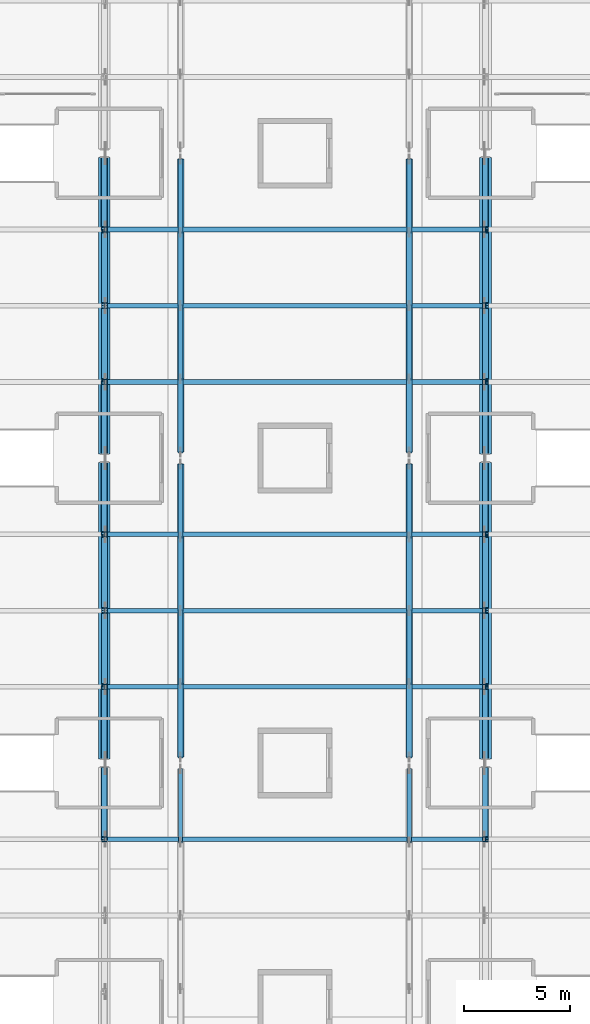
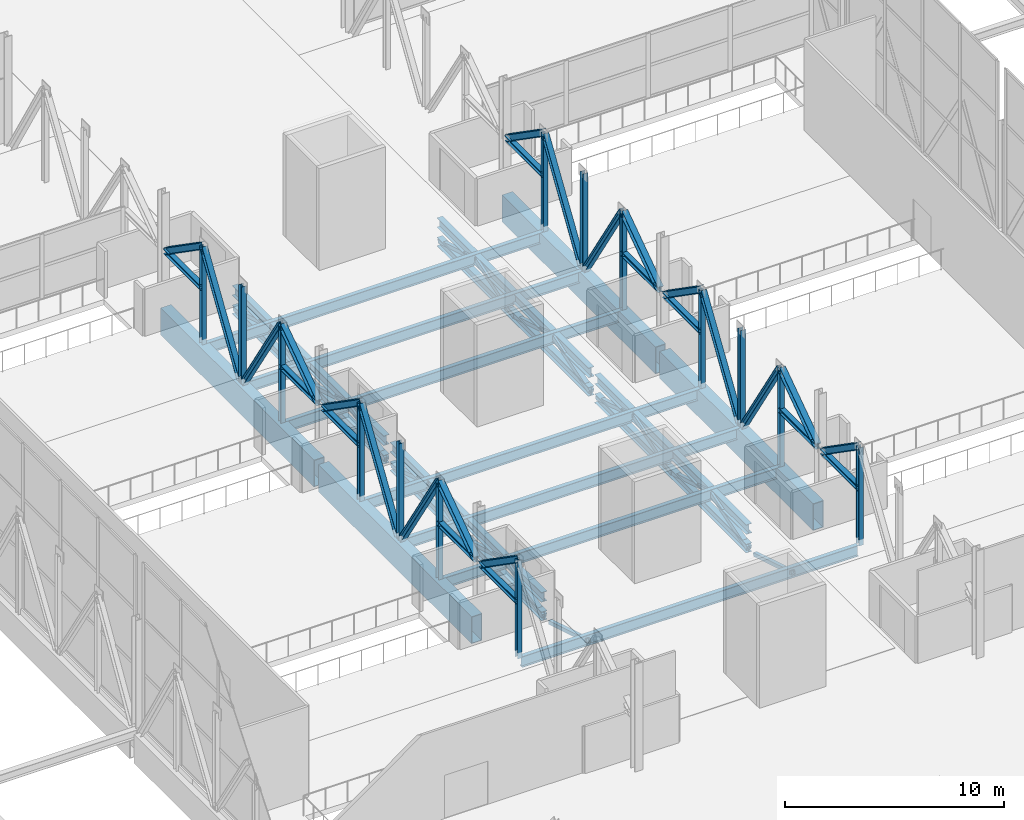
# One storey, part 58 of 191: 60 members, 19 beams.
"""IFC4 building model written with IfcOpenShell, lengths in metres."""

from ifc_helpers import new_model, si_unit, direction, frame, origin, origin_2d, place, context, subcontext, project, spatial, hollow_rectangle, i_section, extrude, material, material_profile, profile_set, type_object, element, save


model = new_model("IFC4")

# Units and contexts
model_context = context("Model", 3, precision=1e-05, world=origin(), true_north=direction((0.0, 1.0)))
body_context = subcontext(model_context, "Body", "Model", "MODEL_VIEW")
ifc_project = project(units=[si_unit("LENGTHUNIT", "METRE"), si_unit("AREAUNIT", "SQUARE_METRE"), si_unit("VOLUMEUNIT", "CUBIC_METRE"), si_unit("PLANEANGLEUNIT", "RADIAN"), si_unit("MASSUNIT", "GRAM", prefix="KILO")], contexts=[model_context])

# Site, building, storey
site_placement = place(None, origin())
site = spatial("IfcSite", under=ifc_project, at=site_placement, CompositionType="ELEMENT")
building_placement = place(site_placement, origin())
building = spatial("IfcBuilding", under=site, at=building_placement, Name="Tamarisk Ironworks Central Station", CompositionType="ELEMENT")
storey_placement = place(building_placement, frame((0.0, 0.0, 6.60009765625)))
storey = spatial("IfcBuildingStorey", under=building, at=storey_placement, Name="L01", CompositionType="ELEMENT", Elevation=6.60009765625)

# Beams
ifc_material_1 = material(Name="Structural steel S355J2", Category="steel")
ifc_material_profile_1 = material_profile(ifc_material_1, i_section(OverallWidth=0.219970703125, OverallDepth=0.60009765625, WebThickness=0.011962890625, FlangeThickness=0.01904296875, at=origin_2d()), Name="IPE 600")
ifc_profile_set_1 = profile_set([ifc_material_profile_1], Name="Structural steel S355J2")
beam_type_1 = type_object("IfcBeamType", Name="BM-B01", PredefinedType="BEAM", material=ifc_profile_set_1)
for number, where, z_axis, x_axis, name in (
    (1, (72.135009765625, 32.39990234375, -0.60009765625), (1.0, 0.0, 0.0), (0.0, 1.0, 0.0), "L01 secondary composite beam 0017"),
    (2, (72.135009765625, 39.60009765625, -0.60009765625), (1.0, 0.0, 0.0), (0.0, 1.0, 0.0), "L01 secondary composite beam 0018"),
    (3, (72.135009765625, 43.199951171875, -0.60009765625), (1.0, 0.0, 0.0), (0.0, 1.0, 0.0), "L01 secondary composite beam 0019"),
    (4, (72.135009765625, 46.800048828125, -0.60009765625), (1.0, 0.0, 0.0), (0.0, 1.0, 0.0), "L01 secondary composite beam 0020"),
    (5, (72.135009765625, 54.0, -0.60009765625), (1.0, 0.0, 0.0), (0.0, 1.0, 0.0), "L01 secondary composite beam 0021"),
    (6, (72.135009765625, 57.60009765625, -0.60009765625), (1.0, 0.0, 0.0), (0.0, 1.0, 0.0), "L01 secondary composite beam 0022"),
    (7, (72.135009765625, 61.199951171875, -0.60009765625), (1.0, 0.0, 0.0), (0.0, 1.0, 0.0), "L01 secondary composite beam 0023"),
):
    element("IfcBeam", number, at=place(storey_placement, frame(where, z_axis=z_axis, x_axis=x_axis)), inside=storey, type_object=beam_type_1, Name=name, PredefinedType="BEAM", context=body_context, shape_type="SweptSolid", body=[
        extrude(i_section(OverallWidth=0.219970703125, OverallDepth=0.60009765625, WebThickness=0.011962890625, FlangeThickness=0.01904296875, at=origin_2d()), origin(), (0.0, 0.0, 1.0), 17.72998046875),
    ])
ifc_material_profile_2 = material_profile(ifc_material_1, i_section(OverallWidth=0.300048828125, OverallDepth=0.5400390625, WebThickness=0.012451171875, FlangeThickness=0.02392578125, at=origin_2d()), Name="HEA 550")
ifc_profile_set_2 = profile_set([ifc_material_profile_2], Name="Structural steel S355J2")
beam_type_2 = type_object("IfcBeamType", Name="BM-G04", PredefinedType="BEAM", material=ifc_profile_set_2)
for number, where, z_axis, x_axis, name in (
    (8, (75.60009765625, 36.280029296875, -0.580078125), (0.0, 1.0, 0.0), (-1.0, 0.0, 0.0), "Bridge deck transfer stiffening chord 144"),
    (9, (75.60009765625, 50.679931640625, -0.580078125), (0.0, 1.0, 0.0), (-1.0, 0.0, 0.0), "Bridge deck transfer stiffening chord 150"),
    (10, (86.39990234375, 36.280029296875, -0.580078125), (0.0, 1.0, 0.0), (-1.0, 0.0, 0.0), "Bridge deck transfer stiffening chord 168"),
    (11, (86.39990234375, 50.679931640625, -0.580078125), (0.0, 1.0, 0.0), (-1.0, 0.0, 0.0), "Bridge deck transfer stiffening chord 174"),
):
    element("IfcBeam", number, at=place(storey_placement, frame(where, z_axis=z_axis, x_axis=x_axis)), inside=storey, type_object=beam_type_2, Name=name, PredefinedType="BEAM", context=body_context, shape_type="SweptSolid", body=[
        extrude(i_section(OverallWidth=0.300048828125, OverallDepth=0.5400390625, WebThickness=0.012451171875, FlangeThickness=0.02392578125, at=origin_2d()), origin(), (0.0, 0.0, 1.0), 13.840087890625),
    ])
ifc_material_profile_3 = material_profile(ifc_material_1, i_section(OverallWidth=0.300048828125, OverallDepth=0.489990234375, WebThickness=0.011962890625, FlangeThickness=0.02294921875, at=origin_2d()), Name="HEA 500")
ifc_profile_set_3 = profile_set([ifc_material_profile_3], Name="Structural steel S355J2")
beam_type_3 = type_object("IfcBeamType", Name="BM-G05", PredefinedType="BEAM", material=ifc_profile_set_3)
for number, where, z_axis, x_axis, name in (
    (12, (75.60009765625, 36.280029296875, -1.64013671875), (0.0, 1.0, 0.0), (-1.0, 0.0, 0.0), "Bridge deck transfer stiffening chord 143"),
    (13, (75.60009765625, 50.679931640625, -1.64013671875), (0.0, 1.0, 0.0), (-1.0, 0.0, 0.0), "Bridge deck transfer stiffening chord 149"),
    (14, (86.39990234375, 36.280029296875, -1.64013671875), (0.0, 1.0, 0.0), (-1.0, 0.0, 0.0), "Bridge deck transfer stiffening chord 167"),
    (15, (86.39990234375, 50.679931640625, -1.64013671875), (0.0, 1.0, 0.0), (-1.0, 0.0, 0.0), "Bridge deck transfer stiffening chord 173"),
):
    element("IfcBeam", number, at=place(storey_placement, frame(where, z_axis=z_axis, x_axis=x_axis)), inside=storey, type_object=beam_type_3, Name=name, PredefinedType="BEAM", context=body_context, shape_type="SweptSolid", body=[
        extrude(i_section(OverallWidth=0.300048828125, OverallDepth=0.489990234375, WebThickness=0.011962890625, FlangeThickness=0.02294921875, at=origin_2d()), origin(), (0.0, 0.0, 1.0), 13.840087890625),
    ])
ifc_material_profile_4 = material_profile(ifc_material_1, hollow_rectangle(XDim=0.550048828125, YDim=1.5, WallThickness=0.028076171875, at=origin_2d()), Name="BOX 550x1500x28")
ifc_profile_set_4 = profile_set([ifc_material_profile_4], Name="Structural steel S355J2")
beam_type_4 = type_object("IfcBeamType", Name="BM-TG02", PredefinedType="USERDEFINED", material=ifc_profile_set_4)
for number, where, z_axis, x_axis, name in (
    (16, (72.0, 36.200439453125, -1.050048828125), (0.0, 1.0, 0.0), (-1.0, 0.0, 0.0), "L01 primary girder Y-0217"),
    (17, (72.0, 50.6005859375, -1.050048828125), (0.0, 1.0, 0.0), (-1.0, 0.0, 0.0), "L01 primary girder Y-0218"),
    (18, (90.0, 36.200439453125, -1.050048828125), (0.0, 1.0, 0.0), (-1.0, 0.0, 0.0), "L01 primary girder Y-0225"),
    (19, (90.0, 50.6005859375, -1.050048828125), (0.0, 1.0, 0.0), (-1.0, 0.0, 0.0), "L01 primary girder Y-0226"),
):
    element("IfcBeam", number, at=place(storey_placement, frame(where, z_axis=z_axis, x_axis=x_axis)), inside=storey, type_object=beam_type_4, Name=name, ObjectType="TRANSFER GIRDER", PredefinedType="USERDEFINED", context=body_context, shape_type="SweptSolid", body=[
        extrude(hollow_rectangle(XDim=0.550048828125, YDim=1.5, WallThickness=0.028076171875, at=origin_2d()), origin(), (0.0, 0.0, 1.0), 13.9990234375),
    ])

# Members
ifc_material_2 = material(Name="Structural steel S355J2H", Category="steel")
ifc_material_profile_5 = material_profile(ifc_material_2, hollow_rectangle(XDim=0.25, YDim=0.25, WallThickness=0.012451171875, at=origin_2d()), Name="SHS 250x250x12.5")
ifc_profile_set_5 = profile_set([ifc_material_profile_5], Name="Structural steel S355J2H")
member_type_1 = type_object("IfcMemberType", Name="MB-BR01", PredefinedType="BRACE", material=ifc_profile_set_5)
for number, where, z_axis, x_axis, name in (
    (20, (75.60009765625, 36.280029296875, -1.64013671875), (0.0, 0.956131332595, 0.292938346467), (-1.0, 0.0, 0.0), "Bridge deck stiffening web brace 145"),
    (21, (75.60009765625, 43.199951171875, -1.64013671875), (0.0, 0.956131332595, 0.292938346467), (-1.0, 0.0, 0.0), "Bridge deck stiffening web brace 147"),
    (22, (75.60009765625, 50.679931640625, -1.64013671875), (0.0, 0.956131332595, 0.292938346467), (-1.0, 0.0, 0.0), "Bridge deck stiffening web brace 151"),
    (23, (75.60009765625, 57.60009765625, -1.64013671875), (0.0, 0.956131332595, 0.292938346467), (-1.0, 0.0, 0.0), "Bridge deck stiffening web brace 153"),
    (24, (86.39990234375, 36.280029296875, -1.64013671875), (0.0, 0.956131332595, 0.292938346467), (-1.0, 0.0, 0.0), "Bridge deck stiffening web brace 169"),
    (25, (86.39990234375, 43.199951171875, -1.64013671875), (0.0, 0.956131332595, 0.292938346467), (-1.0, 0.0, 0.0), "Bridge deck stiffening web brace 171"),
    (26, (86.39990234375, 50.679931640625, -1.64013671875), (0.0, 0.956131332595, 0.292938346467), (-1.0, 0.0, 0.0), "Bridge deck stiffening web brace 175"),
    (27, (86.39990234375, 57.60009765625, -1.64013671875), (0.0, 0.956131332595, 0.292938346467), (-1.0, 0.0, 0.0), "Bridge deck stiffening web brace 177"),
):
    element("IfcMember", number, at=place(storey_placement, frame(where, z_axis=z_axis, x_axis=x_axis)), inside=storey, type_object=member_type_1, Name=name, PredefinedType="BRACE", context=body_context, shape_type="SweptSolid", body=[
        extrude(hollow_rectangle(XDim=0.25, YDim=0.25, WallThickness=0.012451171875, at=origin_2d()), origin(), (0.0, 0.0, 1.0), 3.61865234375),
    ])
ifc_material_profile_6 = material_profile(ifc_material_2, hollow_rectangle(XDim=0.199951171875, YDim=0.199951171875, WallThickness=0.010009765625, at=origin_2d()), Name="SHS 200x200x10")
ifc_profile_set_6 = profile_set([ifc_material_profile_6], Name="Structural steel S355J2H")
member_type_2 = type_object("IfcMemberType", Name="MB-BR02", PredefinedType="BRACE", material=ifc_profile_set_6)
for number, where, z_axis, x_axis, name in (
    (28, (75.60009765625, 32.260009765625, -0.580078125), (0.0, 0.956131332595, -0.292938346467), (-1.0, 0.0, 0.0), "Bridge deck stiffening web brace 142"),
    (29, (75.60009765625, 39.739990234375, -0.580078125), (0.0, 0.956131332595, -0.292938346467), (-1.0, 0.0, 0.0), "Bridge deck stiffening web brace 146"),
):
    element("IfcMember", number, at=place(storey_placement, frame(where, z_axis=z_axis, x_axis=x_axis)), inside=storey, type_object=member_type_2, Name=name, PredefinedType="BRACE", context=body_context, shape_type="SweptSolid", body=[
        extrude(hollow_rectangle(XDim=0.199951171875, YDim=0.199951171875, WallThickness=0.010009765625, at=origin_2d()), origin(), (0.0, 0.0, 1.0), 3.61865234375),
    ])
for number, where, z_axis, x_axis, name in (
    (30, (75.60009765625, 46.659912109375, -0.580078125), (0.0, 0.956137121505, -0.29291945118), (-1.0, 0.0, 0.0), "Bridge deck stiffening web brace 148"),
    (31, (75.60009765625, 54.139892578125, -0.580078125), (0.0, 0.956137121505, -0.29291945118), (-1.0, 0.0, 0.0), "Bridge deck stiffening web brace 152"),
):
    element("IfcMember", number, at=place(storey_placement, frame(where, z_axis=z_axis, x_axis=x_axis)), inside=storey, type_object=member_type_2, Name=name, PredefinedType="BRACE", context=body_context, shape_type="SweptSolid", body=[
        extrude(hollow_rectangle(XDim=0.199951171875, YDim=0.199951171875, WallThickness=0.010009765625, at=origin_2d()), origin(), (0.0, 0.0, 1.0), 3.618896484375),
    ])
for number, where, z_axis, x_axis, name in (
    (32, (75.60009765625, 61.06005859375, -0.580078125), (0.0, 0.956131332595, -0.292938346467), (-1.0, 0.0, 0.0), "Bridge deck stiffening web brace 154"),
    (33, (86.39990234375, 32.260009765625, -0.580078125), (0.0, 0.956131332595, -0.292938346467), (-1.0, 0.0, 0.0), "Bridge deck stiffening web brace 166"),
    (34, (86.39990234375, 39.739990234375, -0.580078125), (0.0, 0.956131332595, -0.292938346467), (-1.0, 0.0, 0.0), "Bridge deck stiffening web brace 170"),
):
    element("IfcMember", number, at=place(storey_placement, frame(where, z_axis=z_axis, x_axis=x_axis)), inside=storey, type_object=member_type_2, Name=name, PredefinedType="BRACE", context=body_context, shape_type="SweptSolid", body=[
        extrude(hollow_rectangle(XDim=0.199951171875, YDim=0.199951171875, WallThickness=0.010009765625, at=origin_2d()), origin(), (0.0, 0.0, 1.0), 3.61865234375),
    ])
for number, where, z_axis, x_axis, name in (
    (35, (86.39990234375, 46.659912109375, -0.580078125), (0.0, 0.956137121505, -0.29291945118), (-1.0, 0.0, 0.0), "Bridge deck stiffening web brace 172"),
    (36, (86.39990234375, 54.139892578125, -0.580078125), (0.0, 0.956137121505, -0.29291945118), (-1.0, 0.0, 0.0), "Bridge deck stiffening web brace 176"),
):
    element("IfcMember", number, at=place(storey_placement, frame(where, z_axis=z_axis, x_axis=x_axis)), inside=storey, type_object=member_type_2, Name=name, PredefinedType="BRACE", context=body_context, shape_type="SweptSolid", body=[
        extrude(hollow_rectangle(XDim=0.199951171875, YDim=0.199951171875, WallThickness=0.010009765625, at=origin_2d()), origin(), (0.0, 0.0, 1.0), 3.618896484375),
    ])
member_1_placement = place(storey_placement, frame((86.39990234375, 61.06005859375, -0.580078125), z_axis=(0.0, 0.956131332595, -0.292938346467), x_axis=(-1.0, 0.0, 0.0)))
element("IfcMember", 37, at=member_1_placement, inside=storey, type_object=member_type_2, Name="Bridge deck stiffening web brace 178", PredefinedType="BRACE", context=body_context, shape_type="SweptSolid", body=[
    extrude(hollow_rectangle(XDim=0.199951171875, YDim=0.199951171875, WallThickness=0.010009765625, at=origin_2d()), origin(), (0.0, 0.0, 1.0), 3.61865234375),
])
ifc_material_profile_7 = material_profile(ifc_material_1, i_section(OverallWidth=0.300048828125, OverallDepth=0.340087890625, WebThickness=0.011962890625, FlangeThickness=0.021484375, at=origin_2d()), Name="HEB 340")
ifc_profile_set_7 = profile_set([ifc_material_profile_7], Name="Structural steel S355J2")
member_type_3 = type_object("IfcMemberType", Name="MB-TTD01", PredefinedType="BRACE", material=ifc_profile_set_7)
for number, where, z_axis, x_axis, name in (
    (38, (72.0, 32.43994140625, 5.119873046875), (0.0, 0.821108198798, -0.570772569302), (-1.0, 0.0, 0.0), "Transfer truss diagonal 034"),
    (39, (72.0, 36.280029296875, 2.83984375), (0.0, 0.821108198798, 0.570772569302), (-1.0, 0.0, 0.0), "Transfer truss diagonal 036"),
    (40, (72.0, 46.840087890625, 5.119873046875), (0.0, 0.821108198798, -0.570772569302), (-1.0, 0.0, 0.0), "Transfer truss diagonal 041"),
    (41, (72.0, 50.679931640625, 2.83984375), (0.0, 0.821108198798, 0.570772569302), (-1.0, 0.0, 0.0), "Transfer truss diagonal 043"),
    (42, (72.0, 61.239990234375, 5.119873046875), (0.0, 0.821108198798, -0.570772569302), (-1.0, 0.0, 0.0), "Transfer truss diagonal 048"),
    (43, (90.0, 32.43994140625, 5.119873046875), (0.0, 0.821108198798, -0.570772569302), (-1.0, 0.0, 0.0), "Transfer truss diagonal 062"),
    (44, (90.0, 36.280029296875, 2.83984375), (0.0, 0.821108198798, 0.570772569302), (-1.0, 0.0, 0.0), "Transfer truss diagonal 064"),
    (45, (90.0, 46.840087890625, 5.119873046875), (0.0, 0.821108198798, -0.570772569302), (-1.0, 0.0, 0.0), "Transfer truss diagonal 069"),
    (46, (90.0, 50.679931640625, 2.83984375), (0.0, 0.821108198798, 0.570772569302), (-1.0, 0.0, 0.0), "Transfer truss diagonal 071"),
    (47, (90.0, 61.239990234375, 5.119873046875), (0.0, 0.821108198798, -0.570772569302), (-1.0, 0.0, 0.0), "Transfer truss diagonal 076"),
):
    element("IfcMember", number, at=place(storey_placement, frame(where, z_axis=z_axis, x_axis=x_axis)), inside=storey, type_object=member_type_3, Name=name, PredefinedType="BRACE", context=body_context, shape_type="SweptSolid", body=[
        extrude(i_section(OverallWidth=0.300048828125, OverallDepth=0.340087890625, WebThickness=0.011962890625, FlangeThickness=0.021484375, at=origin_2d()), origin(), (0.0, 0.0, 1.0), 3.99462890625),
    ])
ifc_material_profile_8 = material_profile(ifc_material_1, i_section(OverallWidth=0.280029296875, OverallDepth=0.280029296875, WebThickness=0.010498046875, FlangeThickness=0.01806640625, at=origin_2d()), Name="HEB 280")
ifc_profile_set_8 = profile_set([ifc_material_profile_8], Name="Structural steel S355J2")
member_type_4 = type_object("IfcMemberType", Name="MB-TTD02", PredefinedType="BRACE", material=ifc_profile_set_8)
for number, where, z_axis, x_axis, name in (
    (48, (72.0, 39.639892578125, 5.119873046875), (0.0, 0.539055818311, -0.842270042649), (-1.0, 0.0, 0.0), "Transfer truss diagonal 037"),
    (49, (72.0, 43.239990234375, -0.380126953125), (0.0, 0.539055818311, 0.842270042649), (-1.0, 0.0, 0.0), "Transfer truss diagonal 039"),
    (50, (72.0, 54.0400390625, 5.119873046875), (0.0, 0.539055818311, -0.842270042649), (-1.0, 0.0, 0.0), "Transfer truss diagonal 044"),
    (51, (72.0, 57.639892578125, -0.380126953125), (0.0, 0.539055818311, 0.842270042649), (-1.0, 0.0, 0.0), "Transfer truss diagonal 046"),
    (52, (90.0, 39.639892578125, 5.119873046875), (0.0, 0.539055818311, -0.842270042649), (-1.0, 0.0, 0.0), "Transfer truss diagonal 065"),
    (53, (90.0, 43.239990234375, -0.380126953125), (0.0, 0.539055818311, 0.842270042649), (-1.0, 0.0, 0.0), "Transfer truss diagonal 067"),
    (54, (90.0, 54.0400390625, 5.119873046875), (0.0, 0.539055818311, -0.842270042649), (-1.0, 0.0, 0.0), "Transfer truss diagonal 072"),
    (55, (90.0, 57.639892578125, -0.380126953125), (0.0, 0.539055818311, 0.842270042649), (-1.0, 0.0, 0.0), "Transfer truss diagonal 074"),
):
    element("IfcMember", number, at=place(storey_placement, frame(where, z_axis=z_axis, x_axis=x_axis)), inside=storey, type_object=member_type_4, Name=name, PredefinedType="BRACE", context=body_context, shape_type="SweptSolid", body=[
        extrude(i_section(OverallWidth=0.280029296875, OverallDepth=0.280029296875, WebThickness=0.010498046875, FlangeThickness=0.01806640625, at=origin_2d()), origin(), (0.0, 0.0, 1.0), 6.530029296875),
    ])
ifc_material_profile_9 = material_profile(ifc_material_1, i_section(OverallWidth=0.260009765625, OverallDepth=0.260009765625, WebThickness=0.010009765625, FlangeThickness=0.017578125, at=origin_2d()), Name="HEB 260")
ifc_profile_set_9 = profile_set([ifc_material_profile_9], Name="Structural steel S355J2")
member_type_5 = type_object("IfcMemberType", Name="MB-TTP01", PredefinedType="POST", material=ifc_profile_set_9)
for number, where, z_axis, x_axis, name in (
    (56, (72.0, 32.39990234375, 2.7998046875), (0.0, 1.0, 0.0), (-1.0, 0.0, 0.0), "Transfer truss portal chord 02"),
    (57, (72.0, 36.199951171875, 2.7998046875), (0.0, 1.0, 0.0), (-1.0, 0.0, 0.0), "Transfer truss portal chord 03"),
):
    element("IfcMember", number, at=place(storey_placement, frame(where, z_axis=z_axis, x_axis=x_axis)), inside=storey, type_object=member_type_5, Name=name, PredefinedType="POST", context=body_context, shape_type="SweptSolid", body=[
        extrude(i_section(OverallWidth=0.260009765625, OverallDepth=0.260009765625, WebThickness=0.010009765625, FlangeThickness=0.017578125, at=origin_2d()), origin(), (0.0, 0.0, 1.0), 3.400146484375),
    ])
member_2_placement = place(storey_placement, frame((72.0, 46.800048828125, 2.7998046875), z_axis=(0.0, 1.0, 0.0), x_axis=(-1.0, 0.0, 0.0)))
element("IfcMember", 58, at=member_2_placement, inside=storey, type_object=member_type_5, Name="Transfer truss portal chord 04", PredefinedType="POST", context=body_context, shape_type="SweptSolid", body=[
    extrude(i_section(OverallWidth=0.260009765625, OverallDepth=0.260009765625, WebThickness=0.010009765625, FlangeThickness=0.017578125, at=origin_2d()), origin(), (0.0, 0.0, 1.0), 3.39990234375),
])
member_3_placement = place(storey_placement, frame((72.0, 43.199951171875, -0.340087890625), z_axis=(0.0, 0.0, 1.0), x_axis=(1.0, 0.0, 0.0)))
element("IfcMember", 59, at=member_3_placement, inside=storey, type_object=member_type_5, Name="Transfer truss vertical post 040", PredefinedType="POST", context=body_context, shape_type="SweptSolid", body=[
    extrude(i_section(OverallWidth=0.260009765625, OverallDepth=0.260009765625, WebThickness=0.010009765625, FlangeThickness=0.017578125, at=origin_2d()), origin(), (0.0, 0.0, 1.0), 5.4599609375),
])
member_4_placement = place(storey_placement, frame((72.0, 50.60009765625, 2.7998046875), z_axis=(0.0, 1.0, 0.0), x_axis=(-1.0, 0.0, 0.0)))
element("IfcMember", 60, at=member_4_placement, inside=storey, type_object=member_type_5, Name="Transfer truss portal chord 05", PredefinedType="POST", context=body_context, shape_type="SweptSolid", body=[
    extrude(i_section(OverallWidth=0.260009765625, OverallDepth=0.260009765625, WebThickness=0.010009765625, FlangeThickness=0.017578125, at=origin_2d()), origin(), (0.0, 0.0, 1.0), 3.39990234375),
])
member_5_placement = place(storey_placement, frame((72.0, 61.199951171875, 2.7998046875), z_axis=(0.0, 1.0, 0.0), x_axis=(-1.0, 0.0, 0.0)))
element("IfcMember", 61, at=member_5_placement, inside=storey, type_object=member_type_5, Name="Transfer truss portal chord 06", PredefinedType="POST", context=body_context, shape_type="SweptSolid", body=[
    extrude(i_section(OverallWidth=0.260009765625, OverallDepth=0.260009765625, WebThickness=0.010009765625, FlangeThickness=0.017578125, at=origin_2d()), origin(), (0.0, 0.0, 1.0), 3.400146484375),
])
member_6_placement = place(storey_placement, frame((72.0, 57.60009765625, -0.340087890625), z_axis=(0.0, 0.0, 1.0), x_axis=(1.0, 0.0, 0.0)))
element("IfcMember", 62, at=member_6_placement, inside=storey, type_object=member_type_5, Name="Transfer truss vertical post 047", PredefinedType="POST", context=body_context, shape_type="SweptSolid", body=[
    extrude(i_section(OverallWidth=0.260009765625, OverallDepth=0.260009765625, WebThickness=0.010009765625, FlangeThickness=0.017578125, at=origin_2d()), origin(), (0.0, 0.0, 1.0), 5.4599609375),
])
for number, where, z_axis, x_axis, name in (
    (63, (90.0, 32.39990234375, 2.7998046875), (0.0, 1.0, 0.0), (-1.0, 0.0, 0.0), "Transfer truss portal chord 09"),
    (64, (90.0, 36.199951171875, 2.7998046875), (0.0, 1.0, 0.0), (-1.0, 0.0, 0.0), "Transfer truss portal chord 10"),
):
    element("IfcMember", number, at=place(storey_placement, frame(where, z_axis=z_axis, x_axis=x_axis)), inside=storey, type_object=member_type_5, Name=name, PredefinedType="POST", context=body_context, shape_type="SweptSolid", body=[
        extrude(i_section(OverallWidth=0.260009765625, OverallDepth=0.260009765625, WebThickness=0.010009765625, FlangeThickness=0.017578125, at=origin_2d()), origin(), (0.0, 0.0, 1.0), 3.400146484375),
    ])
member_7_placement = place(storey_placement, frame((90.0, 46.800048828125, 2.7998046875), z_axis=(0.0, 1.0, 0.0), x_axis=(-1.0, 0.0, 0.0)))
element("IfcMember", 65, at=member_7_placement, inside=storey, type_object=member_type_5, Name="Transfer truss portal chord 11", PredefinedType="POST", context=body_context, shape_type="SweptSolid", body=[
    extrude(i_section(OverallWidth=0.260009765625, OverallDepth=0.260009765625, WebThickness=0.010009765625, FlangeThickness=0.017578125, at=origin_2d()), origin(), (0.0, 0.0, 1.0), 3.39990234375),
])
member_8_placement = place(storey_placement, frame((90.0, 43.199951171875, -0.340087890625), z_axis=(0.0, 0.0, 1.0), x_axis=(1.0, 0.0, 0.0)))
element("IfcMember", 66, at=member_8_placement, inside=storey, type_object=member_type_5, Name="Transfer truss vertical post 068", PredefinedType="POST", context=body_context, shape_type="SweptSolid", body=[
    extrude(i_section(OverallWidth=0.260009765625, OverallDepth=0.260009765625, WebThickness=0.010009765625, FlangeThickness=0.017578125, at=origin_2d()), origin(), (0.0, 0.0, 1.0), 5.4599609375),
])
member_9_placement = place(storey_placement, frame((90.0, 50.60009765625, 2.7998046875), z_axis=(0.0, 1.0, 0.0), x_axis=(-1.0, 0.0, 0.0)))
element("IfcMember", 67, at=member_9_placement, inside=storey, type_object=member_type_5, Name="Transfer truss portal chord 12", PredefinedType="POST", context=body_context, shape_type="SweptSolid", body=[
    extrude(i_section(OverallWidth=0.260009765625, OverallDepth=0.260009765625, WebThickness=0.010009765625, FlangeThickness=0.017578125, at=origin_2d()), origin(), (0.0, 0.0, 1.0), 3.39990234375),
])
member_10_placement = place(storey_placement, frame((90.0, 61.199951171875, 2.7998046875), z_axis=(0.0, 1.0, 0.0), x_axis=(-1.0, 0.0, 0.0)))
element("IfcMember", 68, at=member_10_placement, inside=storey, type_object=member_type_5, Name="Transfer truss portal chord 13", PredefinedType="POST", context=body_context, shape_type="SweptSolid", body=[
    extrude(i_section(OverallWidth=0.260009765625, OverallDepth=0.260009765625, WebThickness=0.010009765625, FlangeThickness=0.017578125, at=origin_2d()), origin(), (0.0, 0.0, 1.0), 3.400146484375),
])
member_11_placement = place(storey_placement, frame((90.0, 57.60009765625, -0.340087890625), z_axis=(0.0, 0.0, 1.0), x_axis=(1.0, 0.0, 0.0)))
element("IfcMember", 69, at=member_11_placement, inside=storey, type_object=member_type_5, Name="Transfer truss vertical post 075", PredefinedType="POST", context=body_context, shape_type="SweptSolid", body=[
    extrude(i_section(OverallWidth=0.260009765625, OverallDepth=0.260009765625, WebThickness=0.010009765625, FlangeThickness=0.017578125, at=origin_2d()), origin(), (0.0, 0.0, 1.0), 5.4599609375),
])
ifc_material_profile_10 = material_profile(ifc_material_1, i_section(OverallWidth=0.239990234375, OverallDepth=0.239990234375, WebThickness=0.010009765625, FlangeThickness=0.01708984375, at=origin_2d()), Name="HEB 240")
ifc_profile_set_10 = profile_set([ifc_material_profile_10], Name="Structural steel S355J2")
member_type_6 = type_object("IfcMemberType", Name="MB-TTP02", PredefinedType="POST", material=ifc_profile_set_10)
for number, where, z_axis, x_axis, name in (
    (70, (72.0, 32.39990234375, -0.340087890625), (0.0, 0.0, 1.0), (1.0, 0.0, 0.0), "Transfer truss vertical post 035"),
    (71, (72.0, 39.60009765625, -0.340087890625), (0.0, 0.0, 1.0), (1.0, 0.0, 0.0), "Transfer truss vertical post 038"),
    (72, (72.0, 46.800048828125, -0.340087890625), (0.0, 0.0, 1.0), (1.0, 0.0, 0.0), "Transfer truss vertical post 042"),
    (73, (72.0, 54.0, -0.340087890625), (0.0, 0.0, 1.0), (1.0, 0.0, 0.0), "Transfer truss vertical post 045"),
    (74, (72.0, 61.199951171875, -0.340087890625), (0.0, 0.0, 1.0), (1.0, 0.0, 0.0), "Transfer truss vertical post 049"),
    (75, (90.0, 32.39990234375, -0.340087890625), (0.0, 0.0, 1.0), (1.0, 0.0, 0.0), "Transfer truss vertical post 063"),
    (76, (90.0, 39.60009765625, -0.340087890625), (0.0, 0.0, 1.0), (1.0, 0.0, 0.0), "Transfer truss vertical post 066"),
    (77, (90.0, 46.800048828125, -0.340087890625), (0.0, 0.0, 1.0), (1.0, 0.0, 0.0), "Transfer truss vertical post 070"),
    (78, (90.0, 54.0, -0.340087890625), (0.0, 0.0, 1.0), (1.0, 0.0, 0.0), "Transfer truss vertical post 073"),
    (79, (90.0, 61.199951171875, -0.340087890625), (0.0, 0.0, 1.0), (1.0, 0.0, 0.0), "Transfer truss vertical post 077"),
):
    element("IfcMember", number, at=place(storey_placement, frame(where, z_axis=z_axis, x_axis=x_axis)), inside=storey, type_object=member_type_6, Name=name, PredefinedType="POST", context=body_context, shape_type="SweptSolid", body=[
        extrude(i_section(OverallWidth=0.239990234375, OverallDepth=0.239990234375, WebThickness=0.010009765625, FlangeThickness=0.01708984375, at=origin_2d()), origin(), (0.0, 0.0, 1.0), 5.4599609375),
    ])

save(model, "model.ifc")
